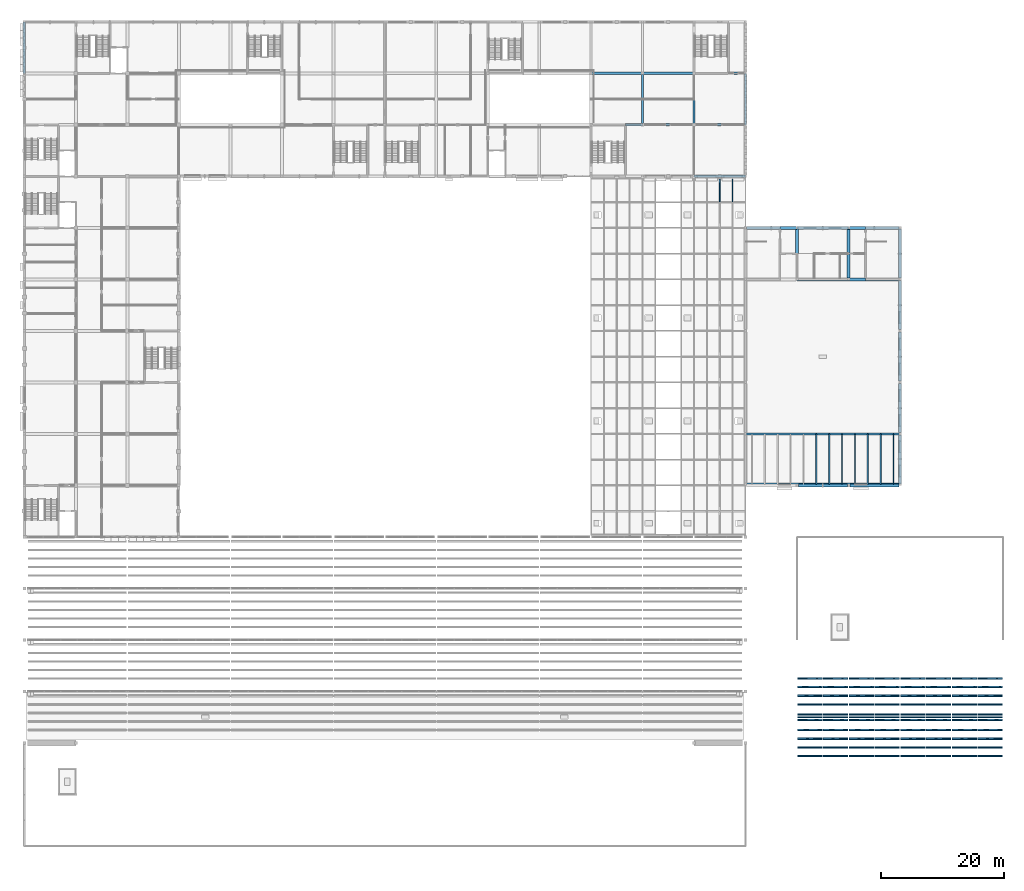
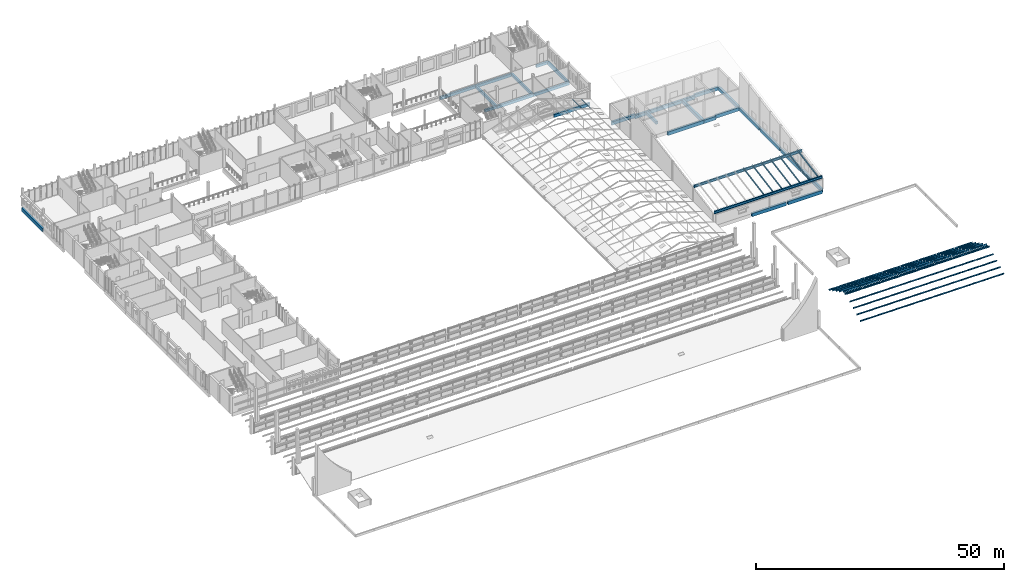
# One storey, part 75 of 116: 89 members, 38 beams.
"""IFC4 building model written with IfcOpenShell, lengths in metres."""

from ifc_helpers import new_model, si_unit, direction, frame, origin, origin_2d, place, context, subcontext, project, spatial, rectangle, hollow_rectangle, i_section, extrude, material, material_profile, profile_set, type_object, element, save


model = new_model("IFC4")

# Units and contexts
model_context = context("Model", 3, precision=1e-05, world=origin(), true_north=direction((0.0, 1.0)))
body_context = subcontext(model_context, "Body", "Model", "MODEL_VIEW")
ifc_project = project(units=[si_unit("LENGTHUNIT", "METRE"), si_unit("AREAUNIT", "SQUARE_METRE"), si_unit("VOLUMEUNIT", "CUBIC_METRE"), si_unit("PLANEANGLEUNIT", "RADIAN"), si_unit("MASSUNIT", "GRAM", prefix="KILO")], contexts=[model_context])

# Site, building, storey
site_placement = place(None, origin())
site = spatial("IfcSite", under=ifc_project, at=site_placement, CompositionType="ELEMENT")
building_placement = place(site_placement, origin())
building = spatial("IfcBuilding", under=site, at=building_placement, Name="Fescue Hill Polytechnic", CompositionType="ELEMENT")
storey_placement = place(building_placement, frame((0.0, 0.0, 13.5)))
storey = spatial("IfcBuildingStorey", under=building, at=storey_placement, Name="L03", CompositionType="ELEMENT", Elevation=13.5)

# Beams
ifc_material_1 = material(Name="Concrete 35 MPa", Category="concrete")
ifc_material_profile_1 = material_profile(ifc_material_1, rectangle(XDim=0.39990234375, YDim=0.60009765625, at=origin_2d()), Name="RC 400x600")
ifc_profile_set_1 = profile_set([ifc_material_profile_1], Name="Concrete 35 MPa")
beam_type_1 = type_object("IfcBeamType", Name="Beam RC 400x600", PredefinedType="BEAM", material=ifc_profile_set_1)
beam_1_placement = place(storey_placement, frame((98.0, 117.60009765625, -0.60009765625), z_axis=(1.0, 0.0, 0.0), x_axis=(0.0, 1.0, 0.0)))
element("IfcBeam", 1, at=beam_1_placement, inside=storey, type_object=beam_type_1, Name="BM-L03-0108", PredefinedType="BEAM", context=body_context, shape_type="SweptSolid", body=[
    extrude(rectangle(XDim=0.39990234375, YDim=0.60009765625, at=origin_2d()), origin(), (0.0, 0.0, 1.0), 2.800048828125),
])
beam_2_placement = place(storey_placement, frame((114.800048828125, 126.0, -0.60009765625), z_axis=(1.0, 0.0, 0.0), x_axis=(0.0, 1.0, 0.0)))
element("IfcBeam", 2, at=beam_2_placement, inside=storey, type_object=beam_type_1, Name="BM-L03-0118", PredefinedType="BEAM", context=body_context, shape_type="SweptSolid", body=[
    extrude(rectangle(XDim=0.39990234375, YDim=0.60009765625, at=origin_2d()), origin(), (0.0, 0.0, 1.0), 2.7900390625),
])
ifc_material_profile_2 = material_profile(ifc_material_1, rectangle(XDim=0.39990234375, YDim=0.699951171875, at=origin_2d()), Name="RC 400x700")
ifc_profile_set_2 = profile_set([ifc_material_profile_2], Name="Concrete 35 MPa")
beam_type_2 = type_object("IfcBeamType", Name="Beam RC 400x700", PredefinedType="BEAM", material=ifc_profile_set_2)
beam_3_placement = place(storey_placement, frame((92.409912109375, 126.0, -0.64990234375), z_axis=(1.0, 0.0, 0.0), x_axis=(0.0, 1.0, 0.0)))
element("IfcBeam", 3, at=beam_3_placement, inside=storey, type_object=beam_type_2, Name="BM-L03-0105", PredefinedType="BEAM", context=body_context, shape_type="SweptSolid", body=[
    extrude(rectangle(XDim=0.39990234375, YDim=0.699951171875, at=origin_2d()), origin(), (0.0, 0.0, 1.0), 8.380126953125),
])
for number, where, z_axis, x_axis, name in (
    (4, (100.800048828125, 117.60009765625, -0.64990234375), (0.0, 1.0, 0.0), (-1.0, 0.0, 0.0), "BM-L03-0110"),
    (5, (100.800048828125, 117.60009765625, -0.64990234375), (1.0, 0.0, 0.0), (0.0, 1.0, 0.0), "BM-L03-0111"),
):
    element("IfcBeam", number, at=place(storey_placement, frame(where, z_axis=z_axis, x_axis=x_axis)), inside=storey, type_object=beam_type_2, Name=name, PredefinedType="BEAM", context=body_context, shape_type="SweptSolid", body=[
        extrude(rectangle(XDim=0.39990234375, YDim=0.699951171875, at=origin_2d()), origin(), (0.0, 0.0, 1.0), 8.39990234375),
    ])
beam_4_placement = place(storey_placement, frame((100.81005859375, 126.0, -0.64990234375), z_axis=(1.0, 0.0, 0.0), x_axis=(0.0, 1.0, 0.0)))
element("IfcBeam", 6, at=beam_4_placement, inside=storey, type_object=beam_type_2, Name="BM-L03-0113", PredefinedType="BEAM", context=body_context, shape_type="SweptSolid", body=[
    extrude(rectangle(XDim=0.39990234375, YDim=0.699951171875, at=origin_2d()), origin(), (0.0, 0.0, 1.0), 8.3798828125),
])
beam_5_placement = place(storey_placement, frame((109.199951171875, 117.60009765625, -0.64990234375), z_axis=(0.0, 1.0, 0.0), x_axis=(-1.0, 0.0, 0.0)))
element("IfcBeam", 7, at=beam_5_placement, inside=storey, type_object=beam_type_2, Name="BM-L03-0116", PredefinedType="BEAM", context=body_context, shape_type="SweptSolid", body=[
    extrude(rectangle(XDim=0.39990234375, YDim=0.699951171875, at=origin_2d()), origin(), (0.0, 0.0, 1.0), 8.39990234375),
])
beam_6_placement = place(storey_placement, frame((109.199951171875, 117.60009765625, -0.64990234375), z_axis=(1.0, 0.0, 0.0), x_axis=(0.0, 1.0, 0.0)))
element("IfcBeam", 8, at=beam_6_placement, inside=storey, type_object=beam_type_2, Name="BM-L03-0117", PredefinedType="BEAM", context=body_context, shape_type="SweptSolid", body=[
    extrude(rectangle(XDim=0.39990234375, YDim=0.699951171875, at=origin_2d()), origin(), (0.0, 0.0, 1.0), 8.400146484375),
])
ifc_material_profile_3 = material_profile(ifc_material_1, rectangle(XDim=0.39990234375, YDim=0.75, at=origin_2d()), Name="RC 400x750")
ifc_profile_set_3 = profile_set([ifc_material_profile_3], Name="Concrete 35 MPa")
beam_type_3 = type_object("IfcBeamType", Name="Beam RC 400x750", PredefinedType="BEAM", material=ifc_profile_set_3)
beam_7_placement = place(storey_placement, frame((109.199951171875, 109.199951171875, -0.675048828125), z_axis=(1.0, 0.0, 0.0), x_axis=(0.0, 1.0, 0.0)))
element("IfcBeam", 9, at=beam_7_placement, inside=storey, type_object=beam_type_3, Name="BM-L03-0115", PredefinedType="BEAM", context=body_context, shape_type="SweptSolid", body=[
    extrude(rectangle(XDim=0.39990234375, YDim=0.75, at=origin_2d()), origin(), (0.0, 0.0, 1.0), 8.400146484375),
])
beam_8_placement = place(storey_placement, frame((117.60009765625, 117.60009765625, -0.675048828125), z_axis=(0.0, 1.0, 0.0), x_axis=(-1.0, 0.0, 0.0)))
element("IfcBeam", 10, at=beam_8_placement, inside=storey, type_object=beam_type_3, Name="BM-L03-0120", PredefinedType="BEAM", context=body_context, shape_type="SweptSolid", body=[
    extrude(rectangle(XDim=0.39990234375, YDim=0.75, at=origin_2d()), origin(), (0.0, 0.0, 1.0), 8.39990234375),
])
ifc_material_profile_4 = material_profile(ifc_material_1, rectangle(XDim=0.449951171875, YDim=0.699951171875, at=origin_2d()), Name="RC 450x700")
ifc_profile_set_4 = profile_set([ifc_material_profile_4], Name="Concrete 35 MPa")
beam_type_4 = type_object("IfcBeamType", Name="Beam RC 450x700", PredefinedType="BEAM", material=ifc_profile_set_4)
beam_9_placement = place(storey_placement, frame((126.0, 96.60009765625, -0.64990234375), z_axis=(0.0, 1.0, 0.0), x_axis=(-1.0, 0.0, 0.0)))
element("IfcBeam", 11, at=beam_9_placement, inside=storey, type_object=beam_type_4, Name="BM-L03-0124", PredefinedType="BEAM", context=body_context, shape_type="SweptSolid", body=[
    extrude(rectangle(XDim=0.449951171875, YDim=0.699951171875, at=origin_2d()), origin(), (0.0, 0.0, 1.0), 4.199951171875),
])
ifc_material_profile_5 = material_profile(ifc_material_1, rectangle(XDim=0.449951171875, YDim=0.85009765625, at=origin_2d()), Name="RC 450x850")
ifc_profile_set_5 = profile_set([ifc_material_profile_5], Name="Concrete 35 MPa")
beam_type_5 = type_object("IfcBeamType", Name="Beam RC 450x850", PredefinedType="BEAM", material=ifc_profile_set_5)
beam_10_placement = place(storey_placement, frame((0.0, 126.0, -0.72509765625), z_axis=(0.0, 1.0, 0.0), x_axis=(-1.0, 0.0, 0.0)))
element("IfcBeam", 12, at=beam_10_placement, inside=storey, type_object=beam_type_5, Name="BM-L03-0007", PredefinedType="BEAM", context=body_context, shape_type="SweptSolid", body=[
    extrude(rectangle(XDim=0.449951171875, YDim=0.85009765625, at=origin_2d()), origin(), (0.0, 0.0, 1.0), 8.39990234375),
])
beam_11_placement = place(storey_placement, frame((123.199951171875, 100.800048828125, -0.72509765625), z_axis=(1.0, 0.0, 0.0), x_axis=(0.0, 1.0, 0.0)))
element("IfcBeam", 13, at=beam_11_placement, inside=storey, type_object=beam_type_5, Name="BM-L03-0122", PredefinedType="BEAM", context=body_context, shape_type="SweptSolid", body=[
    extrude(rectangle(XDim=0.449951171875, YDim=0.85009765625, at=origin_2d()), origin(), (0.0, 0.0, 1.0), 2.7900390625),
])
beam_12_placement = place(storey_placement, frame((126.0, 92.39990234375, -0.72509765625), z_axis=(1.0, 0.0, 0.0), x_axis=(0.0, 1.0, 0.0)))
element("IfcBeam", 14, at=beam_12_placement, inside=storey, type_object=beam_type_5, Name="BM-L03-0123", PredefinedType="BEAM", context=body_context, shape_type="SweptSolid", body=[
    extrude(rectangle(XDim=0.449951171875, YDim=0.85009765625, at=origin_2d()), origin(), (0.0, 0.0, 1.0), 8.389892578125),
])
beam_13_placement = place(storey_placement, frame((126.010009765625, 100.800048828125, -0.72509765625), z_axis=(1.0, 0.0, 0.0), x_axis=(0.0, 1.0, 0.0)))
element("IfcBeam", 15, at=beam_13_placement, inside=storey, type_object=beam_type_5, Name="BM-L03-0125", PredefinedType="BEAM", context=body_context, shape_type="SweptSolid", body=[
    extrude(rectangle(XDim=0.449951171875, YDim=0.85009765625, at=origin_2d()), origin(), (0.0, 0.0, 1.0), 8.3798828125),
])
for number, where, z_axis, x_axis, name in (
    (16, (134.409912109375, 92.39990234375, -0.72509765625), (1.0, 0.0, 0.0), (0.0, 1.0, 0.0), "BM-L03-0127"),
    (17, (134.409912109375, 100.800048828125, -0.72509765625), (1.0, 0.0, 0.0), (0.0, 1.0, 0.0), "BM-L03-0128"),
):
    element("IfcBeam", number, at=place(storey_placement, frame(where, z_axis=z_axis, x_axis=x_axis)), inside=storey, type_object=beam_type_5, Name=name, PredefinedType="BEAM", context=body_context, shape_type="SweptSolid", body=[
        extrude(rectangle(XDim=0.449951171875, YDim=0.85009765625, at=origin_2d()), origin(), (0.0, 0.0, 1.0), 2.7900390625),
    ])
beam_14_placement = place(storey_placement, frame((117.800048828125, 100.800048828125, -0.425048828125), z_axis=(1.0, 0.0, 0.0), x_axis=(0.0, 1.0, 0.0)))
element("IfcBeam", 18, at=beam_14_placement, inside=storey, type_object=beam_type_5, Name="BM-L03-0148", PredefinedType="BEAM", context=body_context, shape_type="SweptSolid", body=[
    extrude(rectangle(XDim=0.449951171875, YDim=0.85009765625, at=origin_2d()), origin(), (0.0, 0.0, 1.0), 5.52490234375),
])
for number, where, z_axis, x_axis, name in (
    (19, (126.199951171875, 58.800048828125, -0.425048828125), (1.0, 0.0, 0.0), (0.0, 1.0, 0.0), "BM-L03-0150"),
    (20, (134.60009765625, 58.800048828125, -0.425048828125), (1.0, 0.0, 0.0), (0.0, 1.0, 0.0), "BM-L03-0151"),
):
    element("IfcBeam", number, at=place(storey_placement, frame(where, z_axis=z_axis, x_axis=x_axis)), inside=storey, type_object=beam_type_5, Name=name, PredefinedType="BEAM", context=body_context, shape_type="SweptSolid", body=[
        extrude(rectangle(XDim=0.449951171875, YDim=0.85009765625, at=origin_2d()), origin(), (0.0, 0.0, 1.0), 8.0),
    ])
for number, where, z_axis, x_axis, name in (
    (21, (137.074951171875, 92.39990234375, -0.425048828125), (1.0, 0.0, 0.0), (0.0, 1.0, 0.0), "BM-L03-0152"),
    (22, (137.074951171875, 100.800048828125, -0.425048828125), (1.0, 0.0, 0.0), (0.0, 1.0, 0.0), "BM-L03-0153"),
):
    element("IfcBeam", number, at=place(storey_placement, frame(where, z_axis=z_axis, x_axis=x_axis)), inside=storey, type_object=beam_type_5, Name=name, PredefinedType="BEAM", context=body_context, shape_type="SweptSolid", body=[
        extrude(rectangle(XDim=0.449951171875, YDim=0.85009765625, at=origin_2d()), origin(), (0.0, 0.0, 1.0), 5.525146484375),
    ])
for number, where, z_axis, x_axis, name in (
    (23, (142.800048828125, 59.0, -0.425048828125), (0.0, 1.0, 0.0), (-1.0, 0.0, 0.0), "BM-L03-0154"),
    (24, (142.800048828125, 67.39990234375, -0.425048828125), (0.0, 1.0, 0.0), (-1.0, 0.0, 0.0), "BM-L03-0155"),
    (25, (142.800048828125, 75.800048828125, -0.425048828125), (0.0, 1.0, 0.0), (-1.0, 0.0, 0.0), "BM-L03-0156"),
    (26, (142.800048828125, 84.199951171875, -0.425048828125), (0.0, 1.0, 0.0), (-1.0, 0.0, 0.0), "BM-L03-0157"),
    (27, (142.800048828125, 92.60009765625, -0.425048828125), (0.0, 1.0, 0.0), (-1.0, 0.0, 0.0), "BM-L03-0158"),
):
    element("IfcBeam", number, at=place(storey_placement, frame(where, z_axis=z_axis, x_axis=x_axis)), inside=storey, type_object=beam_type_5, Name=name, PredefinedType="BEAM", context=body_context, shape_type="SweptSolid", body=[
        extrude(rectangle(XDim=0.449951171875, YDim=0.85009765625, at=origin_2d()), origin(), (0.0, 0.0, 1.0), 8.0),
    ])
ifc_material_profile_6 = material_profile(ifc_material_1, rectangle(XDim=0.5, YDim=0.800048828125, at=origin_2d()), Name="RC 500x800")
ifc_profile_set_6 = profile_set([ifc_material_profile_6], Name="Concrete 35 MPa")
beam_type_6 = type_object("IfcBeamType", Name="Beam RC 500x800", PredefinedType="BEAM", material=ifc_profile_set_6)
beam_15_placement = place(storey_placement, frame((134.39990234375, 92.39990234375, -0.699951171875), z_axis=(0.0, 1.0, 0.0), x_axis=(-1.0, 0.0, 0.0)))
element("IfcBeam", 28, at=beam_15_placement, inside=storey, type_object=beam_type_6, Name="BM-L03-0126", PredefinedType="BEAM", context=body_context, shape_type="SweptSolid", body=[
    extrude(rectangle(XDim=0.5, YDim=0.800048828125, at=origin_2d()), origin(), (0.0, 0.0, 1.0), 8.400146484375),
])
ifc_material_2 = material(Name="Steel 350W (350 MPa)", Category="steel")
ifc_material_profile_7 = material_profile(ifc_material_2, i_section(OverallWidth=0.323974609375, OverallDepth=0.611083984375, WebThickness=0.0126953125, FlangeThickness=0.01904296875, FilletRadius=0.02197265625, at=origin_2d()), Name="W610x155")
ifc_profile_set_7 = profile_set([ifc_material_profile_7], Name="Steel 350W (350 MPa)")
beam_type_7 = type_object("IfcBeamType", Name="Lecture roof girder W610x155", PredefinedType="BEAM", material=ifc_profile_set_7)
for number, where, z_axis, x_axis, name in (
    (29, (117.60009765625, 59.0, 2.9912109375), (1.0, 0.0, 0.0), (0.0, 1.0, 0.0), "Lecture roof girder 1"),
    (30, (117.60009765625, 67.199951171875, 4.45556640625), (1.0, 0.0, 0.0), (0.0, 1.0, 0.0), "Lecture roof girder 2"),
):
    element("IfcBeam", number, at=place(storey_placement, frame(where, z_axis=z_axis, x_axis=x_axis)), inside=storey, type_object=beam_type_7, Name=name, PredefinedType="BEAM", context=body_context, shape_type="SweptSolid", body=[
        extrude(i_section(OverallWidth=0.323974609375, OverallDepth=0.611083984375, WebThickness=0.0126953125, FlangeThickness=0.01904296875, FilletRadius=0.02197265625, at=origin_2d()), origin(), (0.0, 0.0, 1.0), 25.199951171875),
    ])

# Members
ifc_material_profile_8 = material_profile(ifc_material_2, i_section(OverallWidth=0.202880859375, OverallDepth=0.302978515625, WebThickness=0.007568359375, FlangeThickness=0.01318359375, FilletRadius=0.02001953125, at=origin_2d()), Name="W310x60")
ifc_profile_set_8 = profile_set([ifc_material_profile_8], Name="Steel 350W (350 MPa)")
member_type_1 = type_object("IfcMemberType", Name="Lecture roof purlin W310x60", PredefinedType="PURLIN", material=ifc_profile_set_8)
for number, where, z_axis, x_axis, name in (
    (31, (129.14990234375, 59.0, 3.45068359375), (0.0, 0.984431017148, 0.175771364213), (-1.0, 0.0, 0.0), "Lecture roof purlin 6 bay 1"),
    (32, (131.25, 59.0, 3.45068359375), (0.0, 0.984431017148, 0.175771364213), (-1.0, 0.0, 0.0), "Lecture roof purlin 7 bay 1"),
    (33, (133.35009765625, 59.0, 3.45068359375), (0.0, 0.984431017148, 0.175771364213), (-1.0, 0.0, 0.0), "Lecture roof purlin 8 bay 1"),
    (34, (135.449951171875, 59.0, 3.45068359375), (0.0, 0.984431017148, 0.175771364213), (-1.0, 0.0, 0.0), "Lecture roof purlin 9 bay 1"),
    (35, (137.550048828125, 59.0, 3.45068359375), (0.0, 0.984431017148, 0.175771364213), (-1.0, 0.0, 0.0), "Lecture roof purlin 10 bay 1"),
    (36, (139.64990234375, 59.0, 3.45068359375), (0.0, 0.984431017148, 0.175771364213), (-1.0, 0.0, 0.0), "Lecture roof purlin 11 bay 1"),
    (37, (141.75, 59.0, 3.45068359375), (0.0, 0.984431017148, 0.175771364213), (-1.0, 0.0, 0.0), "Lecture roof purlin 12 bay 1"),
):
    element("IfcMember", number, at=place(storey_placement, frame(where, z_axis=z_axis, x_axis=x_axis)), inside=storey, type_object=member_type_1, Name=name, PredefinedType="PURLIN", context=body_context, shape_type="SweptSolid", body=[
        extrude(i_section(OverallWidth=0.202880859375, OverallDepth=0.302978515625, WebThickness=0.007568359375, FlangeThickness=0.01318359375, FilletRadius=0.02001953125, at=origin_2d()), origin(), (0.0, 0.0, 1.0), 8.32958984375),
    ])
ifc_material_3 = material(Name="Glulam 24f-EX", Category="wood")
ifc_material_profile_9 = material_profile(ifc_material_3, rectangle(XDim=0.1298828125, YDim=0.303955078125, at=origin_2d()), Name="Refectory glulam purlin 130x304")
ifc_profile_set_9 = profile_set([ifc_material_profile_9], Name="Glulam 24f-EX")
member_type_2 = type_object("IfcMemberType", Name="Refectory glulam purlin 130x304", PredefinedType="PURLIN", material=ifc_profile_set_9)
for number, where, z_axis, x_axis, name in (
    (38, (126.107421875, 14.699951171875, 0.149169921875), (1.0, 0.0, 0.0), (0.0, 0.882934197129, 0.469496755623), "Refectory purlin S5 bay 1"),
    (39, (126.107421875, 27.300048828125, 0.149169921875), (1.0, 0.0, 0.0), (0.0, 0.882934197129, -0.469496755623), "Refectory purlin N5 bay 1"),
    (40, (126.107421875, 16.10009765625, 0.8935546875), (1.0, 0.0, 0.0), (0.0, 0.882934197129, 0.469496755623), "Refectory purlin S6 bay 1"),
    (41, (126.107421875, 25.89990234375, 0.8935546875), (1.0, 0.0, 0.0), (0.0, 0.882934197129, -0.469496755623), "Refectory purlin N6 bay 1"),
    (42, (126.107421875, 17.5, 1.637939453125), (1.0, 0.0, 0.0), (0.0, 0.882934197129, 0.469496755623), "Refectory purlin S7 bay 1"),
    (43, (126.107421875, 24.5, 1.637939453125), (1.0, 0.0, 0.0), (0.0, 0.882934197129, -0.469496755623), "Refectory purlin N7 bay 1"),
    (44, (126.107421875, 18.89990234375, 2.382568359375), (1.0, 0.0, 0.0), (0.0, 0.882934197129, 0.469496755623), "Refectory purlin S8 bay 1"),
    (45, (126.107421875, 23.10009765625, 2.382568359375), (1.0, 0.0, 0.0), (0.0, 0.882934197129, -0.469496755623), "Refectory purlin N8 bay 1"),
    (46, (126.107421875, 20.550048828125, 3.259765625), (1.0, 0.0, 0.0), (0.0, 0.882934197129, 0.469496755623), "Refectory purlin S9 bay 1"),
    (47, (126.107421875, 21.449951171875, 3.259765625), (1.0, 0.0, 0.0), (0.0, 0.882934197129, -0.469496755623), "Refectory purlin N9 bay 1"),
):
    element("IfcMember", number, at=place(storey_placement, frame(where, z_axis=z_axis, x_axis=x_axis)), inside=storey, type_object=member_type_2, Name=name, PredefinedType="PURLIN", context=body_context, shape_type="SweptSolid", body=[
        extrude(rectangle(XDim=0.1298828125, YDim=0.303955078125, at=origin_2d()), origin(), (0.0, 0.0, 1.0), 3.985107421875),
    ])
for number, where, z_axis, x_axis, name in (
    (48, (130.3076171875, 14.699951171875, 0.149169921875), (1.0, 0.0, 0.0), (0.0, 0.882934197129, 0.469496755623), "Refectory purlin S5 bay 2"),
    (49, (130.3076171875, 27.300048828125, 0.149169921875), (1.0, 0.0, 0.0), (0.0, 0.882934197129, -0.469496755623), "Refectory purlin N5 bay 2"),
    (50, (130.3076171875, 16.10009765625, 0.8935546875), (1.0, 0.0, 0.0), (0.0, 0.882934197129, 0.469496755623), "Refectory purlin S6 bay 2"),
    (51, (130.3076171875, 25.89990234375, 0.8935546875), (1.0, 0.0, 0.0), (0.0, 0.882934197129, -0.469496755623), "Refectory purlin N6 bay 2"),
    (52, (130.3076171875, 17.5, 1.637939453125), (1.0, 0.0, 0.0), (0.0, 0.882934197129, 0.469496755623), "Refectory purlin S7 bay 2"),
    (53, (130.3076171875, 24.5, 1.637939453125), (1.0, 0.0, 0.0), (0.0, 0.882934197129, -0.469496755623), "Refectory purlin N7 bay 2"),
    (54, (130.3076171875, 18.89990234375, 2.382568359375), (1.0, 0.0, 0.0), (0.0, 0.882934197129, 0.469496755623), "Refectory purlin S8 bay 2"),
    (55, (130.3076171875, 23.10009765625, 2.382568359375), (1.0, 0.0, 0.0), (0.0, 0.882934197129, -0.469496755623), "Refectory purlin N8 bay 2"),
    (56, (130.3076171875, 20.550048828125, 3.259765625), (1.0, 0.0, 0.0), (0.0, 0.882934197129, 0.469496755623), "Refectory purlin S9 bay 2"),
    (57, (130.3076171875, 21.449951171875, 3.259765625), (1.0, 0.0, 0.0), (0.0, 0.882934197129, -0.469496755623), "Refectory purlin N9 bay 2"),
    (58, (134.507568359375, 14.699951171875, 0.149169921875), (1.0, 0.0, 0.0), (0.0, 0.882934197129, 0.469496755623), "Refectory purlin S5 bay 3"),
    (59, (134.507568359375, 27.300048828125, 0.149169921875), (1.0, 0.0, 0.0), (0.0, 0.882934197129, -0.469496755623), "Refectory purlin N5 bay 3"),
    (60, (134.507568359375, 16.10009765625, 0.8935546875), (1.0, 0.0, 0.0), (0.0, 0.882934197129, 0.469496755623), "Refectory purlin S6 bay 3"),
    (61, (134.507568359375, 25.89990234375, 0.8935546875), (1.0, 0.0, 0.0), (0.0, 0.882934197129, -0.469496755623), "Refectory purlin N6 bay 3"),
    (62, (134.507568359375, 17.5, 1.637939453125), (1.0, 0.0, 0.0), (0.0, 0.882934197129, 0.469496755623), "Refectory purlin S7 bay 3"),
    (63, (134.507568359375, 24.5, 1.637939453125), (1.0, 0.0, 0.0), (0.0, 0.882934197129, -0.469496755623), "Refectory purlin N7 bay 3"),
    (64, (134.507568359375, 18.89990234375, 2.382568359375), (1.0, 0.0, 0.0), (0.0, 0.882934197129, 0.469496755623), "Refectory purlin S8 bay 3"),
    (65, (134.507568359375, 23.10009765625, 2.382568359375), (1.0, 0.0, 0.0), (0.0, 0.882934197129, -0.469496755623), "Refectory purlin N8 bay 3"),
    (66, (134.507568359375, 20.550048828125, 3.259765625), (1.0, 0.0, 0.0), (0.0, 0.882934197129, 0.469496755623), "Refectory purlin S9 bay 3"),
    (67, (134.507568359375, 21.449951171875, 3.259765625), (1.0, 0.0, 0.0), (0.0, 0.882934197129, -0.469496755623), "Refectory purlin N9 bay 3"),
    (68, (138.70751953125, 14.699951171875, 0.149169921875), (1.0, 0.0, 0.0), (0.0, 0.882934197129, 0.469496755623), "Refectory purlin S5 bay 4"),
    (69, (138.70751953125, 27.300048828125, 0.149169921875), (1.0, 0.0, 0.0), (0.0, 0.882934197129, -0.469496755623), "Refectory purlin N5 bay 4"),
    (70, (138.70751953125, 16.10009765625, 0.8935546875), (1.0, 0.0, 0.0), (0.0, 0.882934197129, 0.469496755623), "Refectory purlin S6 bay 4"),
    (71, (138.70751953125, 25.89990234375, 0.8935546875), (1.0, 0.0, 0.0), (0.0, 0.882934197129, -0.469496755623), "Refectory purlin N6 bay 4"),
    (72, (138.70751953125, 17.5, 1.637939453125), (1.0, 0.0, 0.0), (0.0, 0.882934197129, 0.469496755623), "Refectory purlin S7 bay 4"),
    (73, (138.70751953125, 24.5, 1.637939453125), (1.0, 0.0, 0.0), (0.0, 0.882934197129, -0.469496755623), "Refectory purlin N7 bay 4"),
    (74, (138.70751953125, 18.89990234375, 2.382568359375), (1.0, 0.0, 0.0), (0.0, 0.882934197129, 0.469496755623), "Refectory purlin S8 bay 4"),
    (75, (138.70751953125, 23.10009765625, 2.382568359375), (1.0, 0.0, 0.0), (0.0, 0.882934197129, -0.469496755623), "Refectory purlin N8 bay 4"),
    (76, (138.70751953125, 20.550048828125, 3.259765625), (1.0, 0.0, 0.0), (0.0, 0.882934197129, 0.469496755623), "Refectory purlin S9 bay 4"),
    (77, (138.70751953125, 21.449951171875, 3.259765625), (1.0, 0.0, 0.0), (0.0, 0.882934197129, -0.469496755623), "Refectory purlin N9 bay 4"),
):
    element("IfcMember", number, at=place(storey_placement, frame(where, z_axis=z_axis, x_axis=x_axis)), inside=storey, type_object=member_type_2, Name=name, PredefinedType="PURLIN", context=body_context, shape_type="SweptSolid", body=[
        extrude(rectangle(XDim=0.1298828125, YDim=0.303955078125, at=origin_2d()), origin(), (0.0, 0.0, 1.0), 3.98486328125),
    ])
for number, where, z_axis, x_axis, name in (
    (78, (142.907470703125, 14.699951171875, 0.149169921875), (1.0, 0.0, 0.0), (0.0, 0.882934197129, 0.469496755623), "Refectory purlin S5 bay 5"),
    (79, (142.907470703125, 27.300048828125, 0.149169921875), (1.0, 0.0, 0.0), (0.0, 0.882934197129, -0.469496755623), "Refectory purlin N5 bay 5"),
    (80, (142.907470703125, 16.10009765625, 0.8935546875), (1.0, 0.0, 0.0), (0.0, 0.882934197129, 0.469496755623), "Refectory purlin S6 bay 5"),
    (81, (142.907470703125, 25.89990234375, 0.8935546875), (1.0, 0.0, 0.0), (0.0, 0.882934197129, -0.469496755623), "Refectory purlin N6 bay 5"),
    (82, (142.907470703125, 17.5, 1.637939453125), (1.0, 0.0, 0.0), (0.0, 0.882934197129, 0.469496755623), "Refectory purlin S7 bay 5"),
    (83, (142.907470703125, 24.5, 1.637939453125), (1.0, 0.0, 0.0), (0.0, 0.882934197129, -0.469496755623), "Refectory purlin N7 bay 5"),
    (84, (142.907470703125, 18.89990234375, 2.382568359375), (1.0, 0.0, 0.0), (0.0, 0.882934197129, 0.469496755623), "Refectory purlin S8 bay 5"),
    (85, (142.907470703125, 23.10009765625, 2.382568359375), (1.0, 0.0, 0.0), (0.0, 0.882934197129, -0.469496755623), "Refectory purlin N8 bay 5"),
    (86, (142.907470703125, 20.550048828125, 3.259765625), (1.0, 0.0, 0.0), (0.0, 0.882934197129, 0.469496755623), "Refectory purlin S9 bay 5"),
    (87, (142.907470703125, 21.449951171875, 3.259765625), (1.0, 0.0, 0.0), (0.0, 0.882934197129, -0.469496755623), "Refectory purlin N9 bay 5"),
    (88, (147.107421875, 14.699951171875, 0.149169921875), (1.0, 0.0, 0.0), (0.0, 0.882934197129, 0.469496755623), "Refectory purlin S5 bay 6"),
    (89, (147.107421875, 27.300048828125, 0.149169921875), (1.0, 0.0, 0.0), (0.0, 0.882934197129, -0.469496755623), "Refectory purlin N5 bay 6"),
    (90, (147.107421875, 16.10009765625, 0.8935546875), (1.0, 0.0, 0.0), (0.0, 0.882934197129, 0.469496755623), "Refectory purlin S6 bay 6"),
    (91, (147.107421875, 25.89990234375, 0.8935546875), (1.0, 0.0, 0.0), (0.0, 0.882934197129, -0.469496755623), "Refectory purlin N6 bay 6"),
    (92, (147.107421875, 17.5, 1.637939453125), (1.0, 0.0, 0.0), (0.0, 0.882934197129, 0.469496755623), "Refectory purlin S7 bay 6"),
    (93, (147.107421875, 24.5, 1.637939453125), (1.0, 0.0, 0.0), (0.0, 0.882934197129, -0.469496755623), "Refectory purlin N7 bay 6"),
    (94, (147.107421875, 18.89990234375, 2.382568359375), (1.0, 0.0, 0.0), (0.0, 0.882934197129, 0.469496755623), "Refectory purlin S8 bay 6"),
    (95, (147.107421875, 23.10009765625, 2.382568359375), (1.0, 0.0, 0.0), (0.0, 0.882934197129, -0.469496755623), "Refectory purlin N8 bay 6"),
    (96, (147.107421875, 20.550048828125, 3.259765625), (1.0, 0.0, 0.0), (0.0, 0.882934197129, 0.469496755623), "Refectory purlin S9 bay 6"),
    (97, (147.107421875, 21.449951171875, 3.259765625), (1.0, 0.0, 0.0), (0.0, 0.882934197129, -0.469496755623), "Refectory purlin N9 bay 6"),
):
    element("IfcMember", number, at=place(storey_placement, frame(where, z_axis=z_axis, x_axis=x_axis)), inside=storey, type_object=member_type_2, Name=name, PredefinedType="PURLIN", context=body_context, shape_type="SweptSolid", body=[
        extrude(rectangle(XDim=0.1298828125, YDim=0.303955078125, at=origin_2d()), origin(), (0.0, 0.0, 1.0), 3.985107421875),
    ])
for number, where, z_axis, x_axis, name in (
    (98, (151.3076171875, 14.699951171875, 0.149169921875), (1.0, 0.0, 0.0), (0.0, 0.882934197129, 0.469496755623), "Refectory purlin S5 bay 7"),
    (99, (151.3076171875, 27.300048828125, 0.149169921875), (1.0, 0.0, 0.0), (0.0, 0.882934197129, -0.469496755623), "Refectory purlin N5 bay 7"),
    (100, (151.3076171875, 16.10009765625, 0.8935546875), (1.0, 0.0, 0.0), (0.0, 0.882934197129, 0.469496755623), "Refectory purlin S6 bay 7"),
    (101, (151.3076171875, 25.89990234375, 0.8935546875), (1.0, 0.0, 0.0), (0.0, 0.882934197129, -0.469496755623), "Refectory purlin N6 bay 7"),
    (102, (151.3076171875, 17.5, 1.637939453125), (1.0, 0.0, 0.0), (0.0, 0.882934197129, 0.469496755623), "Refectory purlin S7 bay 7"),
    (103, (151.3076171875, 24.5, 1.637939453125), (1.0, 0.0, 0.0), (0.0, 0.882934197129, -0.469496755623), "Refectory purlin N7 bay 7"),
    (104, (151.3076171875, 18.89990234375, 2.382568359375), (1.0, 0.0, 0.0), (0.0, 0.882934197129, 0.469496755623), "Refectory purlin S8 bay 7"),
    (105, (151.3076171875, 23.10009765625, 2.382568359375), (1.0, 0.0, 0.0), (0.0, 0.882934197129, -0.469496755623), "Refectory purlin N8 bay 7"),
    (106, (151.3076171875, 20.550048828125, 3.259765625), (1.0, 0.0, 0.0), (0.0, 0.882934197129, 0.469496755623), "Refectory purlin S9 bay 7"),
    (107, (151.3076171875, 21.449951171875, 3.259765625), (1.0, 0.0, 0.0), (0.0, 0.882934197129, -0.469496755623), "Refectory purlin N9 bay 7"),
    (108, (155.507568359375, 14.699951171875, 0.149169921875), (1.0, 0.0, 0.0), (0.0, 0.882934197129, 0.469496755623), "Refectory purlin S5 bay 8"),
    (109, (155.507568359375, 27.300048828125, 0.149169921875), (1.0, 0.0, 0.0), (0.0, 0.882934197129, -0.469496755623), "Refectory purlin N5 bay 8"),
    (110, (155.507568359375, 16.10009765625, 0.8935546875), (1.0, 0.0, 0.0), (0.0, 0.882934197129, 0.469496755623), "Refectory purlin S6 bay 8"),
    (111, (155.507568359375, 25.89990234375, 0.8935546875), (1.0, 0.0, 0.0), (0.0, 0.882934197129, -0.469496755623), "Refectory purlin N6 bay 8"),
    (112, (155.507568359375, 17.5, 1.637939453125), (1.0, 0.0, 0.0), (0.0, 0.882934197129, 0.469496755623), "Refectory purlin S7 bay 8"),
    (113, (155.507568359375, 24.5, 1.637939453125), (1.0, 0.0, 0.0), (0.0, 0.882934197129, -0.469496755623), "Refectory purlin N7 bay 8"),
    (114, (155.507568359375, 18.89990234375, 2.382568359375), (1.0, 0.0, 0.0), (0.0, 0.882934197129, 0.469496755623), "Refectory purlin S8 bay 8"),
    (115, (155.507568359375, 23.10009765625, 2.382568359375), (1.0, 0.0, 0.0), (0.0, 0.882934197129, -0.469496755623), "Refectory purlin N8 bay 8"),
    (116, (155.507568359375, 20.550048828125, 3.259765625), (1.0, 0.0, 0.0), (0.0, 0.882934197129, 0.469496755623), "Refectory purlin S9 bay 8"),
    (117, (155.507568359375, 21.449951171875, 3.259765625), (1.0, 0.0, 0.0), (0.0, 0.882934197129, -0.469496755623), "Refectory purlin N9 bay 8"),
):
    element("IfcMember", number, at=place(storey_placement, frame(where, z_axis=z_axis, x_axis=x_axis)), inside=storey, type_object=member_type_2, Name=name, PredefinedType="PURLIN", context=body_context, shape_type="SweptSolid", body=[
        extrude(rectangle(XDim=0.1298828125, YDim=0.303955078125, at=origin_2d()), origin(), (0.0, 0.0, 1.0), 3.98486328125),
    ])

# Beams
ifc_material_profile_10 = material_profile(ifc_material_3, rectangle(XDim=0.175048828125, YDim=0.3798828125, at=origin_2d()), Name="Refectory glulam ridge beam 175x380")
ifc_profile_set_10 = profile_set([ifc_material_profile_10], Name="Glulam 24f-EX")
beam_type_8 = type_object("IfcBeamType", Name="Refectory glulam ridge beam 175x380", PredefinedType="BEAM", material=ifc_profile_set_10)
beam_16_placement = place(storey_placement, frame((126.107421875, 21.0, 3.090576171875), z_axis=(1.0, 0.0, 0.0), x_axis=(0.0, 1.0, 0.0)))
element("IfcBeam", 118, at=beam_16_placement, inside=storey, type_object=beam_type_8, Name="Refectory ridge beam 1", PredefinedType="BEAM", context=body_context, shape_type="SweptSolid", body=[
    extrude(rectangle(XDim=0.175048828125, YDim=0.3798828125, at=origin_2d()), origin(), (0.0, 0.0, 1.0), 3.985107421875),
])
for number, where, z_axis, x_axis, name in (
    (119, (130.3076171875, 21.0, 3.090576171875), (1.0, 0.0, 0.0), (0.0, 1.0, 0.0), "Refectory ridge beam 2"),
    (120, (134.507568359375, 21.0, 3.090576171875), (1.0, 0.0, 0.0), (0.0, 1.0, 0.0), "Refectory ridge beam 3"),
    (121, (138.70751953125, 21.0, 3.090576171875), (1.0, 0.0, 0.0), (0.0, 1.0, 0.0), "Refectory ridge beam 4"),
):
    element("IfcBeam", number, at=place(storey_placement, frame(where, z_axis=z_axis, x_axis=x_axis)), inside=storey, type_object=beam_type_8, Name=name, PredefinedType="BEAM", context=body_context, shape_type="SweptSolid", body=[
        extrude(rectangle(XDim=0.175048828125, YDim=0.3798828125, at=origin_2d()), origin(), (0.0, 0.0, 1.0), 3.98486328125),
    ])
for number, where, z_axis, x_axis, name in (
    (122, (142.907470703125, 21.0, 3.090576171875), (1.0, 0.0, 0.0), (0.0, 1.0, 0.0), "Refectory ridge beam 5"),
    (123, (147.107421875, 21.0, 3.090576171875), (1.0, 0.0, 0.0), (0.0, 1.0, 0.0), "Refectory ridge beam 6"),
):
    element("IfcBeam", number, at=place(storey_placement, frame(where, z_axis=z_axis, x_axis=x_axis)), inside=storey, type_object=beam_type_8, Name=name, PredefinedType="BEAM", context=body_context, shape_type="SweptSolid", body=[
        extrude(rectangle(XDim=0.175048828125, YDim=0.3798828125, at=origin_2d()), origin(), (0.0, 0.0, 1.0), 3.985107421875),
    ])
for number, where, z_axis, x_axis, name in (
    (124, (151.3076171875, 21.0, 3.090576171875), (1.0, 0.0, 0.0), (0.0, 1.0, 0.0), "Refectory ridge beam 7"),
    (125, (155.507568359375, 21.0, 3.090576171875), (1.0, 0.0, 0.0), (0.0, 1.0, 0.0), "Refectory ridge beam 8"),
):
    element("IfcBeam", number, at=place(storey_placement, frame(where, z_axis=z_axis, x_axis=x_axis)), inside=storey, type_object=beam_type_8, Name=name, PredefinedType="BEAM", context=body_context, shape_type="SweptSolid", body=[
        extrude(rectangle(XDim=0.175048828125, YDim=0.3798828125, at=origin_2d()), origin(), (0.0, 0.0, 1.0), 3.98486328125),
    ])

# Members
ifc_material_profile_11 = material_profile(ifc_material_2, hollow_rectangle(XDim=0.1015625, YDim=0.15234375, WallThickness=0.00634765625, InnerFilletRadius=0.00634765625, OuterFilletRadius=0.0126953125, at=origin_2d()), Name="Winter garden glazing purlin HSS 152x102x6.4")
ifc_profile_set_11 = profile_set([ifc_material_profile_11], Name="Steel 350W (350 MPa)")
member_type_3 = type_object("IfcMemberType", Name="Winter garden glazing purlin HSS 152x102x6.4", PredefinedType="PURLIN", material=ifc_profile_set_11)
for number, where, z_axis, x_axis, name in (
    (126, (115.5, 105.1015625, 1.41455078125), (0.0, 1.0, 0.0), (-1.0, 0.0, 0.0), "Winter garden glazing purlin E1 bay 14"),
    (127, (113.400146484375, 105.1015625, 2.164306640625), (0.0, 1.0, 0.0), (-1.0, 0.0, 0.0), "Winter garden glazing purlin E2 bay 14"),
):
    element("IfcMember", number, at=place(storey_placement, frame(where, z_axis=z_axis, x_axis=x_axis)), inside=storey, type_object=member_type_3, Name=name, PredefinedType="PURLIN", context=body_context, shape_type="SweptSolid", body=[
        extrude(hollow_rectangle(XDim=0.1015625, YDim=0.15234375, WallThickness=0.00634765625, InnerFilletRadius=0.00634765625, OuterFilletRadius=0.0126953125, at=origin_2d()), origin(), (0.0, 0.0, 1.0), 3.646728515625),
    ])

save(model, "model.ifc")
